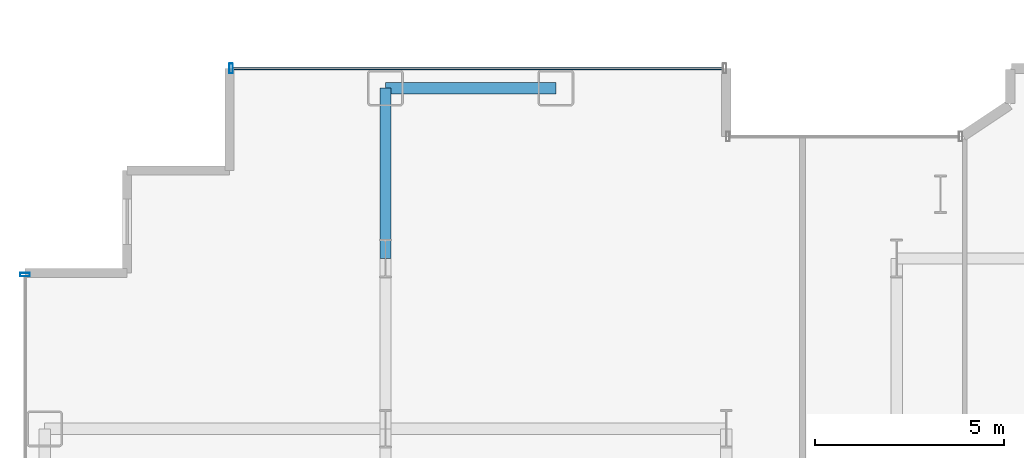
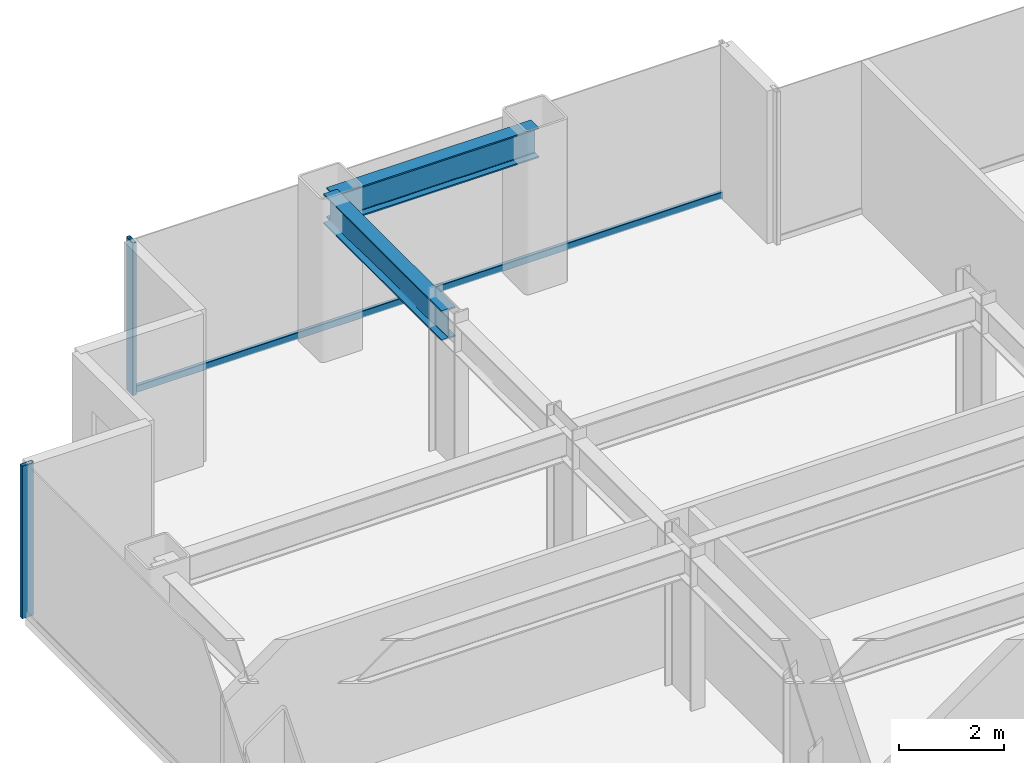
# One storey, part 9 of 26: 3 members, 2 beams, 2 elements without a shape of their own.
"""IFC4 building model written with IfcOpenShell, lengths in metres."""

from ifc_helpers import new_model, si_unit, direction, frame, origin, origin_2d, place, context, subcontext, project, spatial, hollow_rectangle, i_section, extrude, source, transform, mapped, material, layer, layer_set, material_profile, profile_set, type_object, element, aggregate, save


model = new_model("IFC4")

# Units and contexts
model_context = context("Model", 3, precision=1e-05, world=origin(), true_north=direction((0.0, 1.0)))
body_context = subcontext(model_context, "Body", "Model", "MODEL_VIEW")
ifc_project = project(units=[si_unit("LENGTHUNIT", "METRE"), si_unit("AREAUNIT", "SQUARE_METRE"), si_unit("VOLUMEUNIT", "CUBIC_METRE"), si_unit("PLANEANGLEUNIT", "RADIAN"), si_unit("MASSUNIT", "GRAM", prefix="KILO")], contexts=[model_context])

# Site, building, storey
site_placement = place(None, origin())
site = spatial("IfcSite", under=ifc_project, at=site_placement, CompositionType="ELEMENT")
building_placement = place(site_placement, origin())
building = spatial("IfcBuilding", under=site, at=building_placement, Name="Nefas-Gora Pilgrimage Tower", CompositionType="ELEMENT")
storey_placement = place(building_placement, frame((0.0, 0.0, 106.0)))
storey = spatial("IfcBuildingStorey", under=building, at=storey_placement, Name="L25", CompositionType="ELEMENT", Elevation=106.0)

# Beams
ifc_material_1 = material(Name="Steel S355", Category="steel")
ifc_material_profile_1 = material_profile(ifc_material_1, i_section(OverallWidth=0.300048828125, OverallDepth=0.699951171875, WebThickness=0.01708984375, FlangeThickness=0.031982421875, FilletRadius=0.027099609375, at=origin_2d()), Name="HEB 700")
ifc_profile_set_1 = profile_set([ifc_material_profile_1], Name="Steel S355")
beam_type_1 = type_object("IfcBeamType", Name="BM-SPN-HEB600", PredefinedType="SPANDREL", material=ifc_profile_set_1)
shared_shape_1 = source(origin(), body_context, "Body", "SweptSolid", [
    extrude(i_section(OverallWidth=0.300048828125, OverallDepth=0.699951171875, WebThickness=0.01708984375, FlangeThickness=0.031982421875, FilletRadius=0.027099609375, at=origin_2d()), origin(), (0.0, 0.0, 1.0), 4.5),
])
beam_1_placement = place(storey_placement, frame((-24.75, 22.5, 3.199951171875), z_axis=(1.0, 0.0, 0.0), x_axis=(0.0, 1.0, 0.0)))
element("IfcBeam", 1, at=beam_1_placement, inside=storey, type_object=beam_type_1, Name="L25 SP-01 beam", PredefinedType="SPANDREL", context=body_context, shape_type="MappedRepresentation", body=[
    mapped(shared_shape_1, transform((0.0, 0.0, 0.0), x_axis=(1.0, 0.0, 0.0), y_axis=(0.0, 1.0, 0.0), z_axis=(0.0, 0.0, 1.0), scale=1.0)),
])
ifc_material_profile_2 = material_profile(ifc_material_1, i_section(OverallWidth=0.300048828125, OverallDepth=0.699951171875, WebThickness=0.01708984375, FlangeThickness=0.031982421875, FilletRadius=0.027099609375, at=origin_2d()), Name="HEB 700")
ifc_profile_set_2 = profile_set([ifc_material_profile_2], Name="Steel S355")
beam_type_2 = type_object("IfcBeamType", Name="BM-GIR-HEB700", PredefinedType="BEAM", material=ifc_profile_set_2)
shared_shape_2 = source(origin(), body_context, "Body", "SweptSolid", [
    extrude(i_section(OverallWidth=0.300048828125, OverallDepth=0.699951171875, WebThickness=0.01708984375, FlangeThickness=0.031982421875, FilletRadius=0.027099609375, at=origin_2d()), origin(), (0.0, 0.0, 1.0), 4.5),
])
beam_2_placement = place(storey_placement, frame((-24.75, 18.0, 3.199951171875), z_axis=(0.0, 1.0, 0.0), x_axis=(-1.0, 0.0, 0.0)))
element("IfcBeam", 2, at=beam_2_placement, inside=storey, type_object=beam_type_2, Name="L25 G-02 beam", PredefinedType="BEAM", context=body_context, shape_type="MappedRepresentation", body=[
    mapped(shared_shape_2, transform((0.0, 0.0, 0.0), x_axis=(1.0, 0.0, 0.0), y_axis=(0.0, 1.0, 0.0), z_axis=(0.0, 0.0, 1.0), scale=1.0)),
])

# Curtain wall, member
ifc_material_2 = material(Name="Dark ceramic-fritted solar-control aluminium-glass curtain wall", Category="aluminium")
ifc_layer = layer(ifc_material_2, 0.219970703125)
ifc_layer_set = layer_set([ifc_layer], Name="Dark ceramic-fritted solar-control aluminium-glass curtain wall")
curtain_wall_type = type_object("IfcCurtainWallType", Name="CW-SYS-2", PredefinedType="NOTDEFINED", material=ifc_layer_set)
curtain_wall_1_placement = place(storey_placement, origin())
curtain_wall_1 = element("IfcCurtainWall", 3, at=curtain_wall_1_placement, inside=storey, type_object=curtain_wall_type, Name="L25 Unitised Curtain Wall CW2", PredefinedType="NOTDEFINED")
ifc_material_3 = material(Name="Anodised architectural aluminium", Category="aluminium")
ifc_material_profile_3 = material_profile(ifc_material_3, hollow_rectangle(XDim=0.090087890625, YDim=0.260009765625, WallThickness=0.006103515625, InnerFilletRadius=0.006103515625, OuterFilletRadius=0.011962890625, at=origin_2d()), Name="ALU MULLION 90x260")
ifc_profile_set_3 = profile_set([ifc_material_profile_3], Name="Anodised architectural aluminium")
member_type_1 = type_object("IfcMemberType", Name="CWM-MUL-2", PredefinedType="MULLION", material=ifc_profile_set_3)
shared_shape_3 = source(origin(), body_context, "Body", "SweptSolid", [
    extrude(hollow_rectangle(XDim=0.090087890625, YDim=0.260009765625, WallThickness=0.006103515625, InnerFilletRadius=0.006103515625, OuterFilletRadius=0.011962890625, at=origin_2d()), origin(), (0.0, 0.0, 1.0), 3.550048828125),
])
member_1_placement = place(storey_placement, frame((-28.824951171875, 23.02001953125, 0.0), z_axis=(0.0, 0.0, 1.0), x_axis=(-1.0, 0.0, 0.0)))
member_1 = element("IfcMember", 4, at=member_1_placement, type_object=member_type_1, Name="CW2 Mullion 2", PredefinedType="MULLION", context=body_context, shape_type="MappedRepresentation", body=[
    mapped(shared_shape_3, transform((0.0, 0.0, 0.0), x_axis=(1.0, 0.0, 0.0), y_axis=(0.0, 1.0, 0.0), z_axis=(0.0, 0.0, 1.0), scale=1.0)),
])

curtain_wall_2_placement = place(storey_placement, origin())
curtain_wall_2 = element("IfcCurtainWall", 5, at=curtain_wall_2_placement, inside=storey, type_object=curtain_wall_type, Name="L25 Unitised Curtain Wall CW2", PredefinedType="NOTDEFINED")
member_2_placement = place(storey_placement, frame((-34.27001953125, 17.574951171875, 0.0), z_axis=(0.0, 0.0, 1.0), x_axis=(0.0, -1.0, 0.0)))
member_2 = element("IfcMember", 6, at=member_2_placement, type_object=member_type_1, Name="CW2 Mullion 1", PredefinedType="MULLION", context=body_context, shape_type="MappedRepresentation", body=[
    mapped(shared_shape_3, transform((0.0, 0.0, 0.0), x_axis=(1.0, 0.0, 0.0), y_axis=(0.0, 1.0, 0.0), z_axis=(0.0, 0.0, 1.0), scale=1.0)),
])
aggregate(curtain_wall_2, [member_2])

# Member
ifc_material_profile_4 = material_profile(ifc_material_3, hollow_rectangle(XDim=0.080078125, YDim=0.159912109375, WallThickness=0.00439453125, InnerFilletRadius=0.00439453125, OuterFilletRadius=0.009033203125, at=origin_2d()), Name="ALU TRANSOM 80x160")
ifc_profile_set_4 = profile_set([ifc_material_profile_4], Name="Anodised architectural aluminium")
member_type_2 = type_object("IfcMemberType", Name="CWM-TRN-2", PredefinedType="USERDEFINED", material=ifc_profile_set_4)
shared_shape_4 = source(origin(), body_context, "Body", "SweptSolid", [
    extrude(hollow_rectangle(XDim=0.080078125, YDim=0.159912109375, WallThickness=0.00439453125, InnerFilletRadius=0.00439453125, OuterFilletRadius=0.009033203125, at=origin_2d()), origin(), (0.0, 0.0, 1.0), 12.93994140625),
])
member_3_placement = place(storey_placement, frame((-15.840087890625, 23.02001953125, 0.050048828125), z_axis=(-1.0, 0.0, 0.0), x_axis=(0.0, -1.0, 0.0)))
member_3 = element("IfcMember", 7, at=member_3_placement, type_object=member_type_2, Name="CW2 Spandrel Transom", ObjectType="TRANSOM", PredefinedType="USERDEFINED", context=body_context, shape_type="MappedRepresentation", body=[
    mapped(shared_shape_4, transform((0.0, 0.0, 0.0), x_axis=(1.0, 0.0, 0.0), y_axis=(0.0, 1.0, 0.0), z_axis=(0.0, 0.0, 1.0), scale=1.0)),
])

aggregate(curtain_wall_1, [member_1, member_3])

save(model, "model.ifc")
